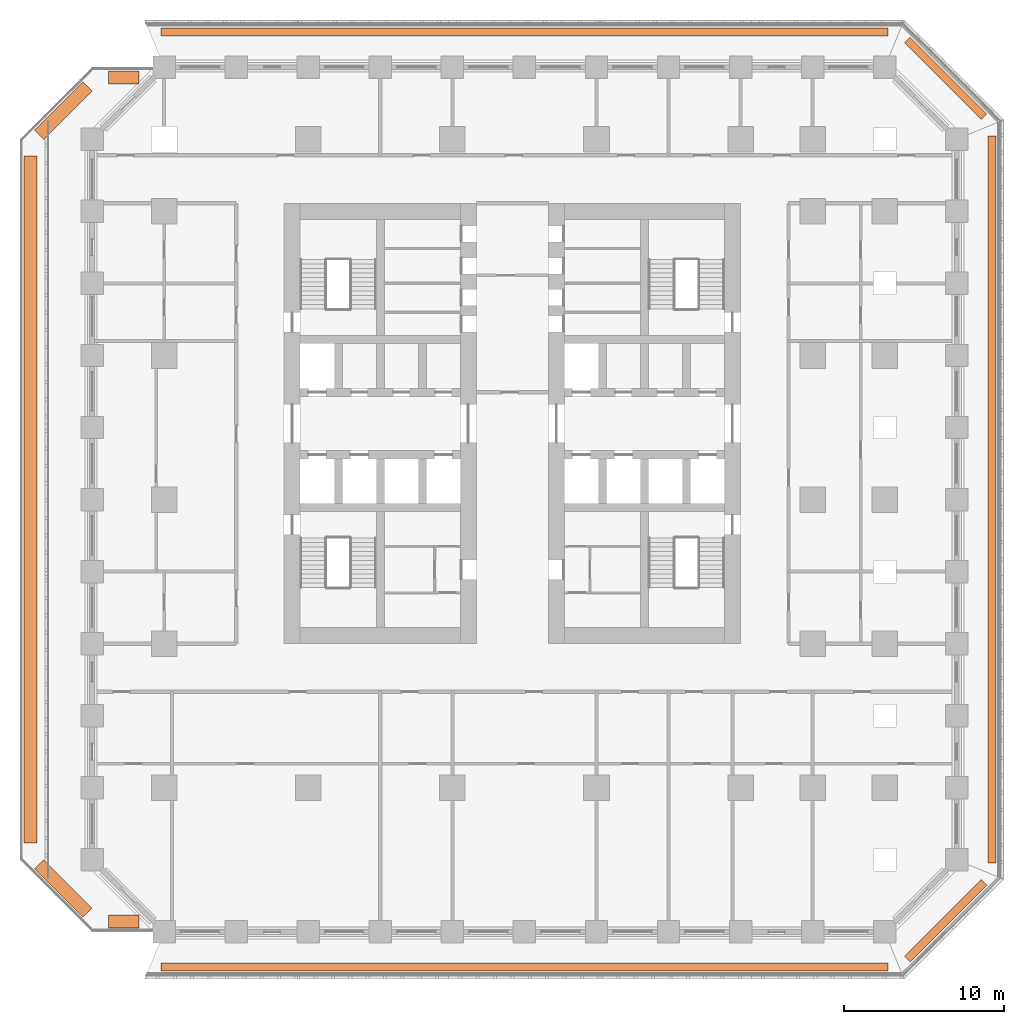
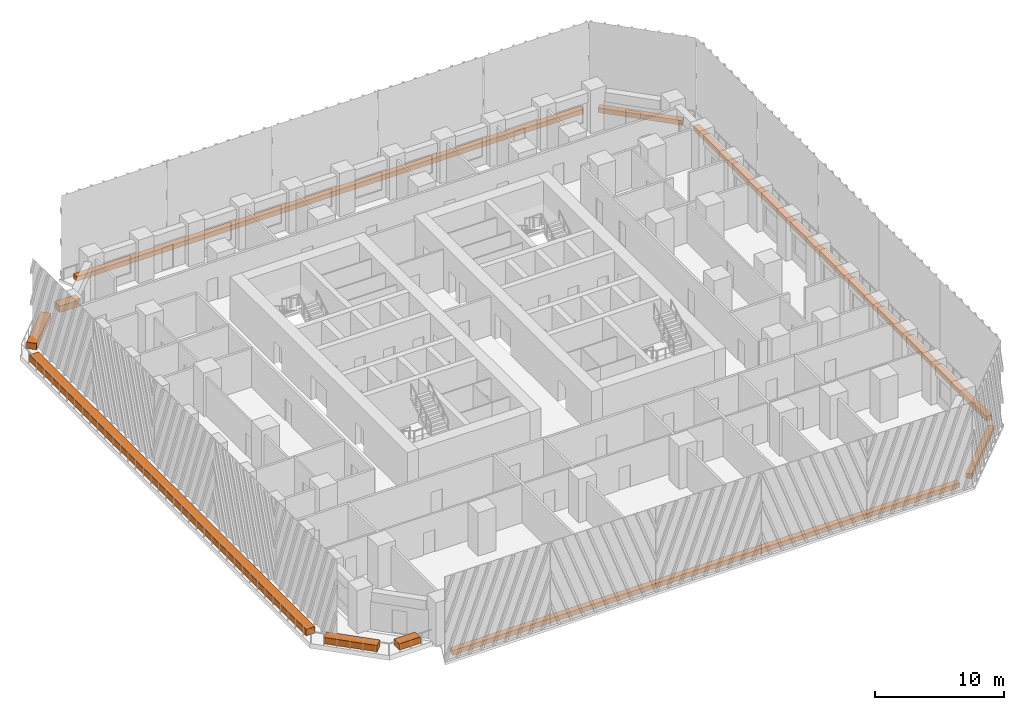
# One storey, part 15 of 15: 10 proxies.
"""IFC4 building model written with IfcOpenShell, lengths in metres."""

from ifc_helpers import new_model, si_unit, direction, frame, origin, origin_2d, place, context, subcontext, project, spatial, rectangle, extrude, material, type_object, element, save


model = new_model("IFC4")

# Units and contexts
model_context = context("Model", 3, precision=1e-05, world=origin(), true_north=direction((0.0, 1.0)))
body_context = subcontext(model_context, "Body", "Model", "MODEL_VIEW")
ifc_project = project(units=[si_unit("LENGTHUNIT", "METRE"), si_unit("AREAUNIT", "SQUARE_METRE"), si_unit("VOLUMEUNIT", "CUBIC_METRE"), si_unit("PLANEANGLEUNIT", "RADIAN"), si_unit("MASSUNIT", "GRAM", prefix="KILO")], contexts=[model_context])

# Site, building, storey
site_placement = place(None, origin())
site = spatial("IfcSite", under=ifc_project, at=site_placement, CompositionType="ELEMENT")
building_placement = place(site_placement, origin())
building = spatial("IfcBuilding", under=site, at=building_placement, Name="Corbel Stack Research Tower", CompositionType="ELEMENT")
storey_placement = place(building_placement, frame((0.0, 0.0, 41.89990234375)))
storey = spatial("IfcBuildingStorey", under=building, at=storey_placement, Name="L09", CompositionType="ELEMENT", Elevation=41.89990234375)

# Proxies
ifc_material_1 = material(Name="Concrete C45/55", Category="concrete")
building_element_proxy_type_1 = type_object("IfcBuildingElementProxyType", Name="Planter box", PredefinedType="USERDEFINED", material=ifc_material_1)
proxy_1_placement = place(storey_placement, frame((4.5, -29.199951171875, 0.0), z_axis=(0.0, 0.0, 1.0), x_axis=(1.0, 0.0, 0.0)))
element("IfcBuildingElementProxy", 1, at=proxy_1_placement, inside=storey, type_object=building_element_proxy_type_1, Name="Planter L09 S", ObjectType="PLANTER", PredefinedType="USERDEFINED", context=body_context, shape_type="SweptSolid", body=[
    extrude(rectangle(XDim=45.41064453125, YDim=0.5, at=origin_2d()), origin(), (0.0, 0.0, 1.0), 0.449951171875),
])
proxy_2_placement = place(storey_placement, frame((30.8056640625, -26.3056640625, 0.0), z_axis=(0.0, 0.0, 1.0), x_axis=(0.707106781187, 0.707106781187, 0.0)))
element("IfcBuildingElementProxy", 2, at=proxy_2_placement, inside=storey, type_object=building_element_proxy_type_1, Name="Planter L09 SE", ObjectType="PLANTER", PredefinedType="USERDEFINED", context=body_context, shape_type="SweptSolid", body=[
    extrude(rectangle(XDim=6.774658203125, YDim=0.5, at=origin_2d()), origin(), (0.0, 0.0, 1.0), 0.449951171875),
])
proxy_3_placement = place(storey_placement, frame((33.699951171875, 0.0, 0.0), z_axis=(0.0, 0.0, 1.0), x_axis=(0.0, 1.0, 0.0)))
element("IfcBuildingElementProxy", 3, at=proxy_3_placement, inside=storey, type_object=building_element_proxy_type_1, Name="Planter L09 E", ObjectType="PLANTER", PredefinedType="USERDEFINED", context=body_context, shape_type="SweptSolid", body=[
    extrude(rectangle(XDim=45.41064453125, YDim=0.5, at=origin_2d()), origin(), (0.0, 0.0, 1.0), 0.449951171875),
])
proxy_4_placement = place(storey_placement, frame((30.8056640625, 26.3056640625, 0.0), z_axis=(0.0, 0.0, 1.0), x_axis=(-0.707106781187, 0.707106781187, 0.0)))
element("IfcBuildingElementProxy", 4, at=proxy_4_placement, inside=storey, type_object=building_element_proxy_type_1, Name="Planter L09 NE", ObjectType="PLANTER", PredefinedType="USERDEFINED", context=body_context, shape_type="SweptSolid", body=[
    extrude(rectangle(XDim=6.774658203125, YDim=0.5, at=origin_2d()), origin(), (0.0, 0.0, 1.0), 0.449951171875),
])
proxy_5_placement = place(storey_placement, frame((4.5, 29.199951171875, 0.0), z_axis=(0.0, 0.0, 1.0), x_axis=(-1.0, 0.0, 0.0)))
element("IfcBuildingElementProxy", 5, at=proxy_5_placement, inside=storey, type_object=building_element_proxy_type_1, Name="Planter L09 N", ObjectType="PLANTER", PredefinedType="USERDEFINED", context=body_context, shape_type="SweptSolid", body=[
    extrude(rectangle(XDim=45.41064453125, YDim=0.5, at=origin_2d()), origin(), (0.0, 0.0, 1.0), 0.449951171875),
])
ifc_material_2 = material(Name="Concrete C45/55", Category="concrete")
building_element_proxy_type_2 = type_object("IfcBuildingElementProxyType", Name="Terrace planter bed", PredefinedType="USERDEFINED", material=ifc_material_2)
proxy_6_placement = place(storey_placement, frame((-20.516357421875, -26.35009765625, 0.0), z_axis=(0.0, 0.0, 1.0), x_axis=(-1.0, 0.0, 0.0)))
element("IfcBuildingElementProxy", 6, at=proxy_6_placement, inside=storey, type_object=building_element_proxy_type_2, Name="Terrace planter bed L09", ObjectType="PLANTER", PredefinedType="USERDEFINED", context=body_context, shape_type="SweptSolid", body=[
    extrude(rectangle(XDim=1.88427734375, YDim=0.800048828125, at=origin_2d()), origin(), (0.0, 0.0, 1.0), 0.60009765625),
])
proxy_7_placement = place(storey_placement, frame((-24.290283203125, -24.290283203125, 0.0), z_axis=(0.0, 0.0, 1.0), x_axis=(-0.707106781187, 0.707106781187, 0.0)))
element("IfcBuildingElementProxy", 7, at=proxy_7_placement, inside=storey, type_object=building_element_proxy_type_2, Name="Terrace planter bed L09", ObjectType="PLANTER", PredefinedType="USERDEFINED", context=body_context, shape_type="SweptSolid", body=[
    extrude(rectangle(XDim=4.281005859375, YDim=0.800048828125, at=origin_2d()), origin(), (0.0, 0.0, 1.0), 0.60009765625),
])
proxy_8_placement = place(storey_placement, frame((-26.35009765625, 0.0, 0.0), z_axis=(0.0, 0.0, 1.0), x_axis=(0.0, 1.0, 0.0)))
element("IfcBuildingElementProxy", 8, at=proxy_8_placement, inside=storey, type_object=building_element_proxy_type_2, Name="Terrace planter bed L09", ObjectType="PLANTER", PredefinedType="USERDEFINED", context=body_context, shape_type="SweptSolid", body=[
    extrude(rectangle(XDim=42.917236328125, YDim=0.800048828125, at=origin_2d()), origin(), (0.0, 0.0, 1.0), 0.60009765625),
])
proxy_9_placement = place(storey_placement, frame((-24.290283203125, 24.290283203125, 0.0), z_axis=(0.0, 0.0, 1.0), x_axis=(0.707106781187, 0.707106781187, 0.0)))
element("IfcBuildingElementProxy", 9, at=proxy_9_placement, inside=storey, type_object=building_element_proxy_type_2, Name="Terrace planter bed L09", ObjectType="PLANTER", PredefinedType="USERDEFINED", context=body_context, shape_type="SweptSolid", body=[
    extrude(rectangle(XDim=4.281005859375, YDim=0.800048828125, at=origin_2d()), origin(), (0.0, 0.0, 1.0), 0.60009765625),
])
proxy_10_placement = place(storey_placement, frame((-20.516357421875, 26.35009765625, 0.0), z_axis=(0.0, 0.0, 1.0), x_axis=(1.0, 0.0, 0.0)))
element("IfcBuildingElementProxy", 10, at=proxy_10_placement, inside=storey, type_object=building_element_proxy_type_2, Name="Terrace planter bed L09", ObjectType="PLANTER", PredefinedType="USERDEFINED", context=body_context, shape_type="SweptSolid", body=[
    extrude(rectangle(XDim=1.88427734375, YDim=0.800048828125, at=origin_2d()), origin(), (0.0, 0.0, 1.0), 0.60009765625),
])

save(model, "model.ifc")
